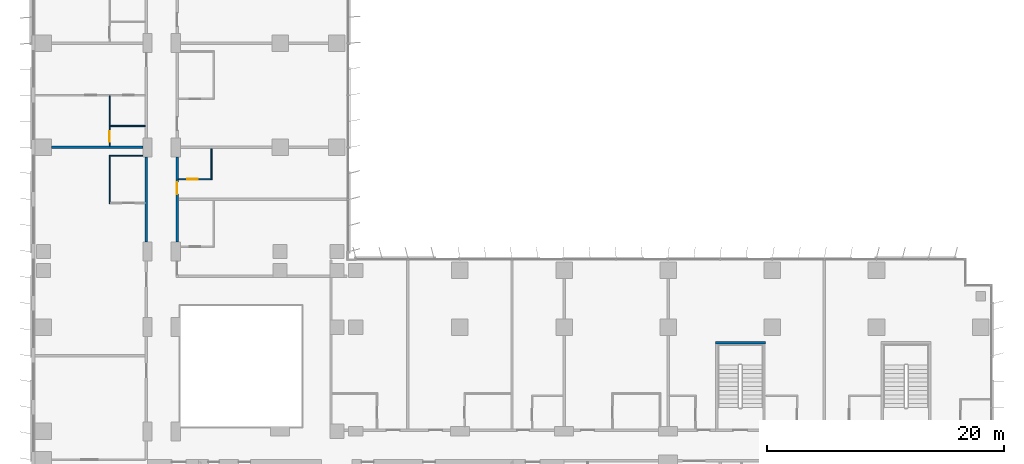
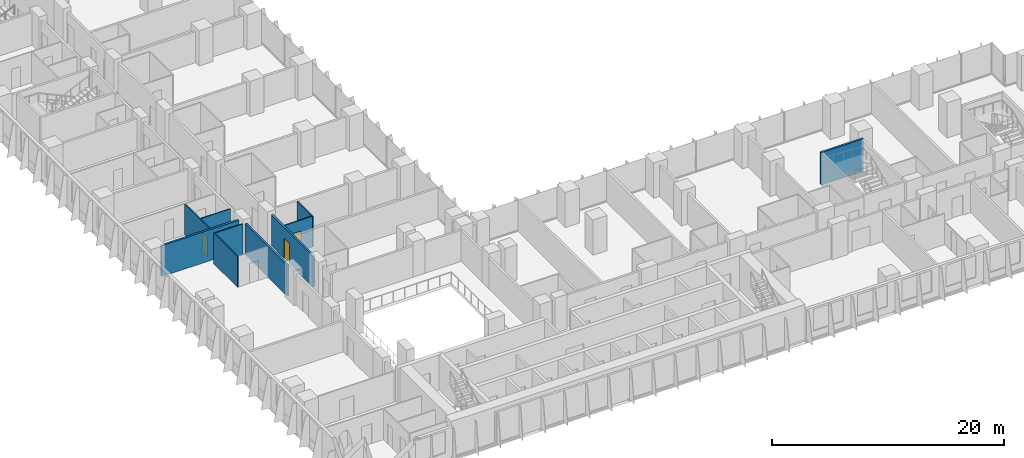
# One storey, part 15 of 24: 10 walls, 3 doors, 3 openings.
"""IFC4 building model written with IfcOpenShell, lengths in metres."""

from ifc_helpers import new_model, si_unit, direction, frame, frame_2d, origin, place, context, subcontext, project, spatial, rectangle, extrude, material, layer, layer_set, type_object, element, fill, save


model = new_model("IFC4")

# Units and contexts
model_context = context("Model", 3, precision=1e-05, world=origin(), true_north=direction((0.0, 1.0)))
body_context = subcontext(model_context, "Body", "Model", "MODEL_VIEW")
ifc_project = project(units=[si_unit("LENGTHUNIT", "METRE"), si_unit("AREAUNIT", "SQUARE_METRE"), si_unit("VOLUMEUNIT", "CUBIC_METRE"), si_unit("PLANEANGLEUNIT", "RADIAN"), si_unit("MASSUNIT", "GRAM", prefix="KILO")], contexts=[model_context])

# Site, building, storey
site_placement = place(None, origin())
site = spatial("IfcSite", under=ifc_project, at=site_placement, CompositionType="ELEMENT")
building_placement = place(site_placement, origin())
building = spatial("IfcBuilding", under=site, at=building_placement, Name="Kemantara Hotel Tower", CompositionType="ELEMENT")
storey_placement = place(building_placement, frame((0.0, 0.0, 79.699951171875)))
storey = spatial("IfcBuildingStorey", under=building, at=storey_placement, Name="L18", CompositionType="ELEMENT", Elevation=79.699951171875)

# Wall
ifc_material_1 = material(Name="Gypsum board partition, steel studs and mineral wool, 200 mm", Category="steel")
ifc_layer_1 = layer(ifc_material_1, 0.199951171875)
ifc_layer_set_1 = layer_set([ifc_layer_1], Name="Gypsum board partition, steel studs and mineral wool, 200 mm")
wall_type_1 = type_object("IfcWallType", Name="CORRIDOR WALL 200", PredefinedType="PARTITIONING", material=ifc_layer_set_1)
wall_1_placement = place(storey_placement, frame((9.699951171875, 28.2001953125, 0.0), z_axis=(0.0, 0.0, 1.0), x_axis=(0.0, 1.0, 0.0)))
element("IfcWall", 1, at=wall_1_placement, inside=storey, type_object=wall_type_1, Name="CORRIDOR WALL 200 028", PredefinedType="PARTITIONING", context=body_context, shape_type="SweptSolid", body=[
    extrude(rectangle(XDim=7.19970703125, YDim=0.199951171875, at=frame_2d((3.599853515625, 0.0))), origin(), (0.0, 0.0, 1.0), 3.25),
])

# Wall, opening, door
wall_2_placement = place(storey_placement, frame((12.300048828125, 35.39990234375, 0.0), z_axis=(0.0, 0.0, 1.0), x_axis=(0.0, -1.0, 0.0)))
wall_2 = element("IfcWall", 2, at=wall_2_placement, inside=storey, type_object=wall_type_1, Name="CORRIDOR WALL 200 045", PredefinedType="PARTITIONING", context=body_context, shape_type="SweptSolid", body=[
    extrude(rectangle(XDim=7.19970703125, YDim=0.199951171875, at=frame_2d((3.599853515625, 0.0))), origin(), (0.0, 0.0, 1.0), 3.25),
])
opening_1_placement = place(wall_2_placement, frame((2.14990234375, 0.0, 0.0)))
opening_1 = element("IfcOpeningElement", 3, at=opening_1_placement, cuts=wall_2, Name="Opening F06-054", PredefinedType="OPENING", context=body_context, shape_type="SweptSolid", body=[
    extrude(rectangle(XDim=1.0, YDim=2.10009765625, at=frame_2d((0.5, 1.050048828125))), frame((0.0, 0.10986328125, 0.0), z_axis=(0.0, -1.0, 0.0), x_axis=(1.0, 0.0, 0.0)), (0.0, 0.0, 1.0), 0.219970703125),
])
ifc_material_2 = material(Name="Hardwood veneer door leaf with steel frame", Category="steel")
door_type_1 = type_object("IfcDoorType", Name="GUEST ROOM DOOR 1000 X 2100 FD30S", OperationType="NOTDEFINED", PredefinedType="DOOR", material=ifc_material_2)
door_1_placement = place(opening_1_placement, origin())
door_1 = element("IfcDoor", 4, at=door_1_placement, inside=storey, type_object=door_type_1, Name="GUEST ROOM DOOR F06-054", OperationType="SINGLE_SWING_RIGHT", OverallHeight=2.10009765625, OverallWidth=1.0, PredefinedType="DOOR", context=body_context, shape_type="SweptSolid", body=[
    extrude(rectangle(XDim=1.0, YDim=2.10009765625, at=frame_2d((0.5, 1.050048828125))), frame((0.0, 0.02490234375, 0.0), z_axis=(0.0, -1.0, 0.0), x_axis=(1.0, 0.0, 0.0)), (0.0, 0.0, 1.0), 0.050048828125),
])
fill(opening_1, door_1)

# Walls
ifc_material_3 = material(Name="Concrete fc 40 MPa", Category="concrete")
ifc_layer_2 = layer(ifc_material_3, 0.199951171875)
ifc_layer_set_2 = layer_set([ifc_layer_2], Name="Concrete fc 40 MPa")
wall_type_2 = type_object("IfcWallType", Name="Concrete stair wall 200 mm", PredefinedType="SHEAR", material=ifc_layer_set_2)
wall_3_placement = place(storey_placement, frame((57.800048828125, 19.699951171875, 0.0), z_axis=(0.0, 0.0, 1.0), x_axis=(1.0, 0.0, 0.0)))
element("IfcWall", 5, at=wall_3_placement, inside=storey, type_object=wall_type_2, Name="Stair ST3 enclosure wall N", PredefinedType="SHEAR", context=body_context, shape_type="SweptSolid", body=[
    extrude(rectangle(XDim=4.199951171875, YDim=0.199951171875, at=frame_2d((2.10009765625, 0.0))), origin(), (0.0, 0.0, 1.0), 3.400146484375),
])
ifc_layer_3 = layer(ifc_material_1, 0.199951171875)
ifc_layer_set_3 = layer_set([ifc_layer_3], Name="Gypsum board partition, steel studs and mineral wool, 200 mm")
wall_type_3 = type_object("IfcWallType", Name="GUEST ROOM PARTY WALL 200", PredefinedType="PARTITIONING", material=ifc_layer_set_3)
wall_4_placement = place(storey_placement, frame((1.7001953125, 36.199951171875, 0.0), z_axis=(0.0, 0.0, 1.0), x_axis=(1.0, 0.0, 0.0)))
element("IfcWall", 6, at=wall_4_placement, inside=storey, type_object=wall_type_3, Name="GUEST ROOM PARTY WALL 200 035", PredefinedType="PARTITIONING", context=body_context, shape_type="SweptSolid", body=[
    extrude(rectangle(XDim=7.69970703125, YDim=0.199951171875, at=frame_2d((3.849853515625, 0.0))), origin(), (0.0, 0.0, 1.0), 3.25),
])
ifc_material_4 = material(Name="Gypsum board partition on steel studs, 100 mm", Category="steel")
ifc_layer_4 = layer(ifc_material_4, 0.10009765625)
ifc_layer_set_4 = layer_set([ifc_layer_4], Name="Gypsum board partition on steel studs, 100 mm")
wall_type_4 = type_object("IfcWallType", Name="ROOM PARTITION 100", PredefinedType="PARTITIONING", material=ifc_layer_set_4)
wall_5_placement = place(storey_placement, frame((6.60009765625, 31.449951171875, 0.0), z_axis=(0.0, 0.0, 1.0), x_axis=(0.0, 1.0, 0.0)))
element("IfcWall", 7, at=wall_5_placement, inside=storey, type_object=wall_type_4, Name="ROOM PARTITION 100 091", PredefinedType="PARTITIONING", context=body_context, shape_type="SweptSolid", body=[
    extrude(rectangle(XDim=4.10009765625, YDim=0.10009765625, at=frame_2d((2.050048828125, 0.0))), origin(), (0.0, 0.0, 1.0), 3.25),
])

# Wall, opening, door
wall_6_placement = place(storey_placement, frame((6.60009765625, 40.550048828125, 0.0), z_axis=(0.0, 0.0, 1.0), x_axis=(0.0, -1.0, 0.0)))
wall_6 = element("IfcWall", 8, at=wall_6_placement, inside=storey, type_object=wall_type_4, Name="ROOM PARTITION 100 092", PredefinedType="PARTITIONING", context=body_context, shape_type="SweptSolid", body=[
    extrude(rectangle(XDim=4.25, YDim=0.10009765625, at=frame_2d((2.125, 0.0))), origin(), (0.0, 0.0, 1.0), 3.25),
])
opening_2_placement = place(wall_6_placement, frame((3.0, 0.0, 0.0)))
opening_2 = element("IfcOpeningElement", 9, at=opening_2_placement, cuts=wall_6, Name="Opening F06-039", PredefinedType="OPENING", context=body_context, shape_type="SweptSolid", body=[
    extrude(rectangle(XDim=0.89990234375, YDim=2.10009765625, at=frame_2d((0.449951171875, 1.050048828125))), frame((0.0, 0.06005859375, 0.0), z_axis=(0.0, -1.0, 0.0), x_axis=(1.0, 0.0, 0.0)), (0.0, 0.0, 1.0), 0.1201171875),
])
door_type_2 = type_object("IfcDoorType", Name="BATHROOM DOOR 900 X 2100", OperationType="NOTDEFINED", PredefinedType="DOOR", material=ifc_material_2)
door_2_placement = place(opening_2_placement, origin())
door_2 = element("IfcDoor", 10, at=door_2_placement, inside=storey, type_object=door_type_2, Name="BATHROOM DOOR F06-039", OperationType="SINGLE_SWING_LEFT", OverallHeight=2.10009765625, OverallWidth=0.89990234375, PredefinedType="DOOR", context=body_context, shape_type="SweptSolid", body=[
    extrude(rectangle(XDim=0.89990234375, YDim=2.10009765625, at=frame_2d((0.449951171875, 1.050048828125))), frame((0.0, 0.02490234375, 0.0), z_axis=(0.0, -1.0, 0.0), x_axis=(1.0, 0.0, 0.0)), (0.0, 0.0, 1.0), 0.050048828125),
])
fill(opening_2, door_2)

# Walls
wall_7_placement = place(storey_placement, frame((6.64990234375, 35.5, 0.0), z_axis=(0.0, 0.0, 1.0), x_axis=(1.0, 0.0, 0.0)))
element("IfcWall", 11, at=wall_7_placement, inside=storey, type_object=wall_type_4, Name="ROOM PARTITION 100 096", PredefinedType="PARTITIONING", context=body_context, shape_type="SweptSolid", body=[
    extrude(rectangle(XDim=2.75, YDim=0.10009765625, at=frame_2d((1.375, 0.0))), origin(), (0.0, 0.0, 1.0), 3.25),
])
wall_8_placement = place(storey_placement, frame((6.64990234375, 38.0, 0.0), z_axis=(0.0, 0.0, 1.0), x_axis=(1.0, 0.0, 0.0)))
element("IfcWall", 12, at=wall_8_placement, inside=storey, type_object=wall_type_4, Name="ROOM PARTITION 100 098", PredefinedType="PARTITIONING", context=body_context, shape_type="SweptSolid", body=[
    extrude(rectangle(XDim=2.9501953125, YDim=0.10009765625, at=frame_2d((1.47509765625, 0.0))), origin(), (0.0, 0.0, 1.0), 3.25),
])
wall_9_placement = place(storey_placement, frame((15.199951171875, 33.449951171875, 0.0), z_axis=(0.0, 0.0, 1.0), x_axis=(0.0, 1.0, 0.0)))
element("IfcWall", 13, at=wall_9_placement, inside=storey, type_object=wall_type_4, Name="ROOM PARTITION 100 111", PredefinedType="PARTITIONING", context=body_context, shape_type="SweptSolid", body=[
    extrude(rectangle(XDim=2.650146484375, YDim=0.10009765625, at=frame_2d((1.3251953125, 0.0))), origin(), (0.0, 0.0, 1.0), 3.25),
])

# Wall, opening, door
wall_10_placement = place(storey_placement, frame((12.39990234375, 33.5, 0.0), z_axis=(0.0, 0.0, 1.0), x_axis=(1.0, 0.0, 0.0)))
wall_10 = element("IfcWall", 14, at=wall_10_placement, inside=storey, type_object=wall_type_4, Name="ROOM PARTITION 100 113", PredefinedType="PARTITIONING", context=body_context, shape_type="SweptSolid", body=[
    extrude(rectangle(XDim=2.75, YDim=0.10009765625, at=frame_2d((1.375, 0.0))), origin(), (0.0, 0.0, 1.0), 3.25),
])
opening_3_placement = place(wall_10_placement, frame((0.75, 0.0, 0.0)))
opening_3 = element("IfcOpeningElement", 15, at=opening_3_placement, cuts=wall_10, Name="Opening F06-055", PredefinedType="OPENING", context=body_context, shape_type="SweptSolid", body=[
    extrude(rectangle(XDim=0.89990234375, YDim=2.10009765625, at=frame_2d((0.449951171875, 1.050048828125))), frame((0.0, 0.06005859375, 0.0), z_axis=(0.0, -1.0, 0.0), x_axis=(1.0, 0.0, 0.0)), (0.0, 0.0, 1.0), 0.1201171875),
])
door_3_placement = place(opening_3_placement, origin())
door_3 = element("IfcDoor", 16, at=door_3_placement, inside=storey, type_object=door_type_2, Name="BATHROOM DOOR F06-055", OperationType="SINGLE_SWING_LEFT", OverallHeight=2.10009765625, OverallWidth=0.89990234375, PredefinedType="DOOR", context=body_context, shape_type="SweptSolid", body=[
    extrude(rectangle(XDim=0.89990234375, YDim=2.10009765625, at=frame_2d((0.449951171875, 1.050048828125))), frame((0.0, 0.02490234375, 0.0), z_axis=(0.0, -1.0, 0.0), x_axis=(1.0, 0.0, 0.0)), (0.0, 0.0, 1.0), 0.050048828125),
])
fill(opening_3, door_3)

save(model, "model.ifc")
